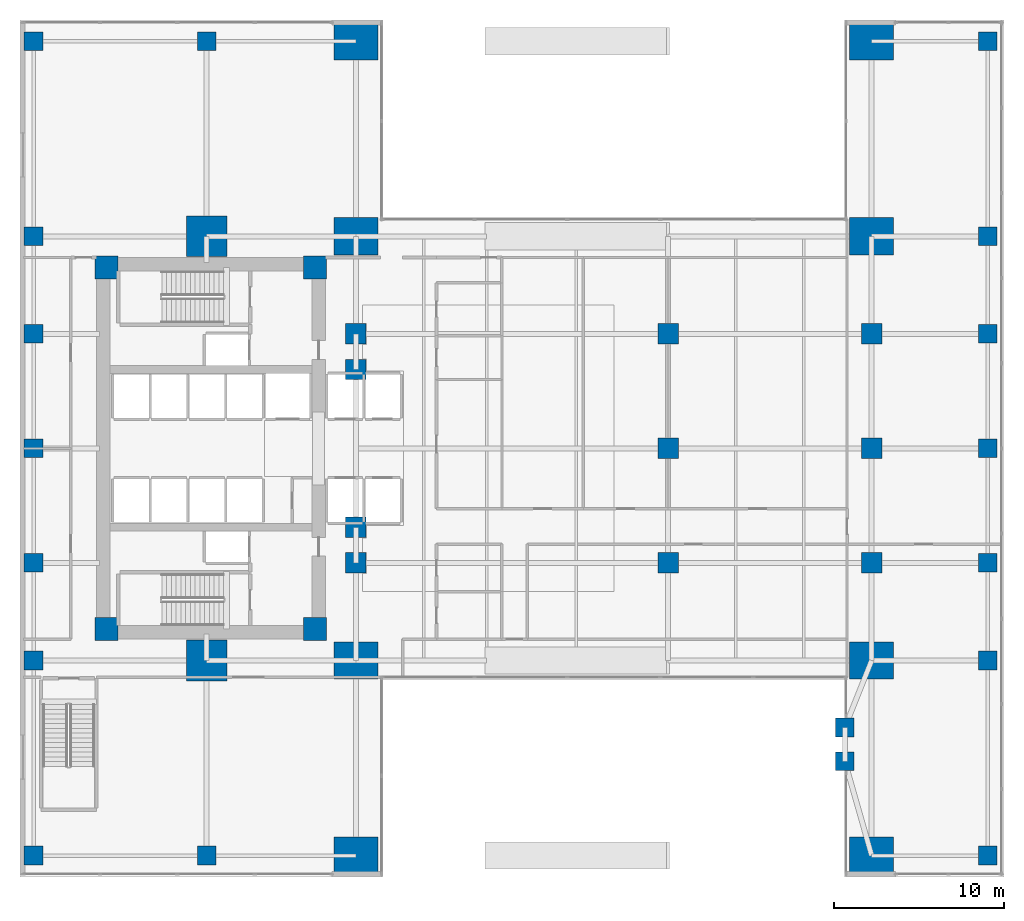
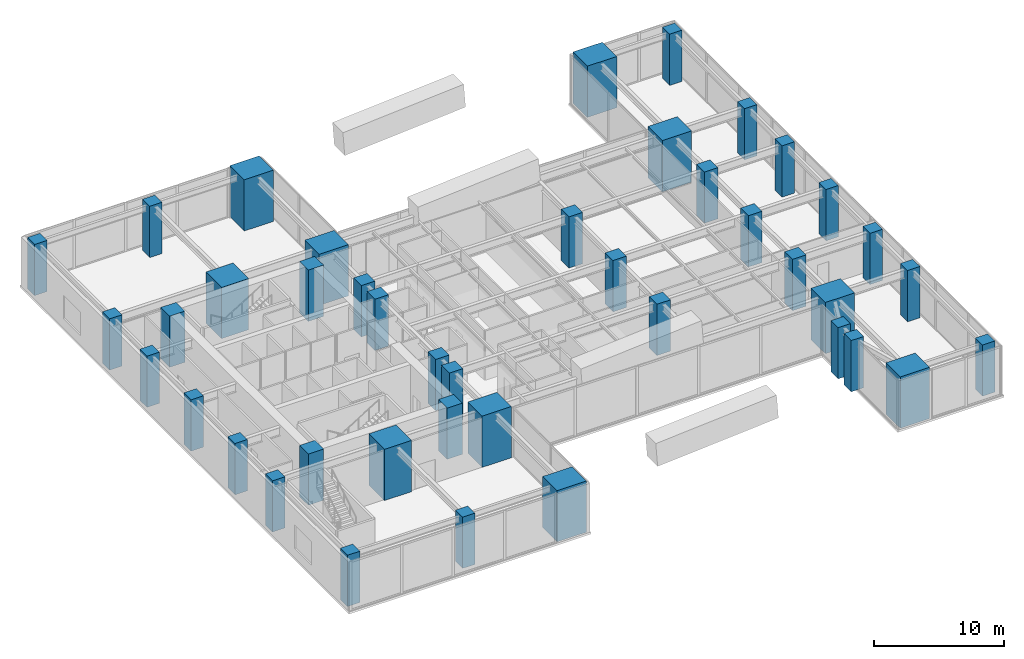
# One storey, part 1 of 13: 42 columns.
"""IFC4 building model written with IfcOpenShell, lengths in metres."""

from ifc_helpers import new_model, si_unit, direction, frame, origin, origin_2d, place, context, subcontext, project, spatial, rectangle, extrude, material, material_profile, profile_set, type_object, element, save


model = new_model("IFC4")

# Units and contexts
model_context = context("Model", 3, precision=1e-05, world=origin(), true_north=direction((0.0, 1.0)))
body_context = subcontext(model_context, "Body", "Model", "MODEL_VIEW")
ifc_project = project(units=[si_unit("LENGTHUNIT", "METRE"), si_unit("AREAUNIT", "SQUARE_METRE"), si_unit("VOLUMEUNIT", "CUBIC_METRE"), si_unit("PLANEANGLEUNIT", "RADIAN"), si_unit("MASSUNIT", "GRAM", prefix="KILO")], contexts=[model_context])

# Site, building, storey
site_placement = place(None, origin())
site = spatial("IfcSite", under=ifc_project, at=site_placement, CompositionType="ELEMENT")
building_placement = place(site_placement, origin())
building = spatial("IfcBuilding", under=site, at=building_placement, Name="Kinhvarn Gate Tower", CompositionType="ELEMENT")
storey_placement = place(building_placement, frame((0.0, 0.0, 10.800048828125)))
storey = spatial("IfcBuildingStorey", under=building, at=storey_placement, Name="L02", CompositionType="ELEMENT", Elevation=10.800048828125)

# Columns
ifc_material_1 = material(Name="Concrete C70/85", Category="concrete")
ifc_material_profile_1 = material_profile(ifc_material_1, rectangle(XDim=2.60009765625, YDim=2.199951171875, at=origin_2d()), Name="RC 2600x2200")
ifc_profile_set_1 = profile_set([ifc_material_profile_1], Name="Concrete C70/85")
column_type_1 = type_object("IfcColumnType", Name="COL-AP-2600", PredefinedType="COLUMN", material=ifc_profile_set_1)
for number, where, z_axis, x_axis, name in (
    (1, (19.800048828125, 1.25, 0.0), (0.0, 0.0, 1.0), (1.0, 0.0, 0.0), "Column APW-1-L02 (AP-01)"),
    (2, (50.199951171875, 1.25, 0.0), (0.0, 0.0, 1.0), (1.0, 0.0, 0.0), "Column APE-1-L02 (AP-01)"),
    (3, (19.800048828125, 12.75, 0.0), (0.0, 0.0, 1.0), (1.0, 0.0, 0.0), "Column APW-2-L02 (AP-01)"),
    (4, (50.199951171875, 12.75, 0.0), (0.0, 0.0, 1.0), (1.0, 0.0, 0.0), "Column APE-2-L02 (AP-01)"),
    (5, (19.800048828125, 37.75, 0.0), (0.0, 0.0, 1.0), (1.0, 0.0, 0.0), "Column APW-3-L02 (AP-01)"),
    (6, (50.199951171875, 37.75, 0.0), (0.0, 0.0, 1.0), (1.0, 0.0, 0.0), "Column APE-3-L02 (AP-01)"),
    (7, (19.800048828125, 49.25, 0.0), (0.0, 0.0, 1.0), (1.0, 0.0, 0.0), "Column APW-4-L02 (AP-01)"),
    (8, (50.199951171875, 49.25, 0.0), (0.0, 0.0, 1.0), (1.0, 0.0, 0.0), "Column APE-4-L02 (AP-01)"),
):
    element("IfcColumn", number, at=place(storey_placement, frame(where, z_axis=z_axis, x_axis=x_axis)), inside=storey, type_object=column_type_1, Name=name, PredefinedType="COLUMN", context=body_context, shape_type="SweptSolid", body=[
        extrude(rectangle(XDim=2.60009765625, YDim=2.199951171875, at=origin_2d()), origin(), (0.0, 0.0, 1.0), 4.800048828125),
    ])
ifc_material_profile_2 = material_profile(ifc_material_1, rectangle(XDim=2.39990234375, YDim=2.39990234375, at=origin_2d()), Name="RC 2400x2400")
ifc_profile_set_2 = profile_set([ifc_material_profile_2], Name="Concrete C70/85")
column_type_2 = type_object("IfcColumnType", Name="COL-MC-2400", PredefinedType="COLUMN", material=ifc_profile_set_2)
for number, where, z_axis, x_axis, name in (
    (9, (11.0, 12.75, 0.0), (0.0, 0.0, 1.0), (1.0, 0.0, 0.0), "Column MC1-L02 (MC-24)"),
    (10, (11.0, 37.75, 0.0), (0.0, 0.0, 1.0), (1.0, 0.0, 0.0), "Column MC4-L02 (MC-24)"),
):
    element("IfcColumn", number, at=place(storey_placement, frame(where, z_axis=z_axis, x_axis=x_axis)), inside=storey, type_object=column_type_2, Name=name, PredefinedType="COLUMN", context=body_context, shape_type="SweptSolid", body=[
        extrude(rectangle(XDim=2.39990234375, YDim=2.39990234375, at=origin_2d()), origin(), (0.0, 0.0, 1.0), 4.800048828125),
    ])
ifc_material_2 = material(Name="Concrete C60/75", Category="concrete")
ifc_material_profile_3 = material_profile(ifc_material_2, rectangle(XDim=1.10009765625, YDim=1.10009765625, at=origin_2d()), Name="RC 1100x1100")
ifc_profile_set_3 = profile_set([ifc_material_profile_3], Name="Concrete C60/75")
column_type_3 = type_object("IfcColumnType", Name="COL-RC-1100", PredefinedType="COLUMN", material=ifc_profile_set_3)
for number, where, z_axis, x_axis, name in (
    (11, (0.800048828125, 1.25, 0.0), (0.0, 0.0, 1.0), (1.0, 0.0, 0.0), "Column PW-1-L02 (C-110)"),
    (12, (57.050048828125, 1.25, 0.0), (0.0, 0.0, 1.0), (1.0, 0.0, 0.0), "Column PE-1-L02 (C-110)"),
    (13, (0.800048828125, 12.75, 0.0), (0.0, 0.0, 1.0), (1.0, 0.0, 0.0), "Column PW-2-L02 (C-110)"),
    (14, (57.050048828125, 12.75, 0.0), (0.0, 0.0, 1.0), (1.0, 0.0, 0.0), "Column PE-2-L02 (C-110)"),
    (15, (0.800048828125, 18.5, 0.0), (0.0, 0.0, 1.0), (1.0, 0.0, 0.0), "Column PW-3-L02 (C-110)"),
    (16, (57.050048828125, 18.5, 0.0), (0.0, 0.0, 1.0), (1.0, 0.0, 0.0), "Column PE-3-L02 (C-110)"),
    (17, (0.800048828125, 25.25, 0.0), (0.0, 0.0, 1.0), (1.0, 0.0, 0.0), "Column PW-4-L02 (C-110)"),
    (18, (57.050048828125, 25.25, 0.0), (0.0, 0.0, 1.0), (1.0, 0.0, 0.0), "Column PE-4-L02 (C-110)"),
    (19, (0.800048828125, 32.0, 0.0), (0.0, 0.0, 1.0), (1.0, 0.0, 0.0), "Column PW-5-L02 (C-110)"),
    (20, (57.050048828125, 32.0, 0.0), (0.0, 0.0, 1.0), (1.0, 0.0, 0.0), "Column PE-5-L02 (C-110)"),
    (21, (0.800048828125, 37.75, 0.0), (0.0, 0.0, 1.0), (1.0, 0.0, 0.0), "Column PW-6-L02 (C-110)"),
    (22, (57.050048828125, 37.75, 0.0), (0.0, 0.0, 1.0), (1.0, 0.0, 0.0), "Column PE-6-L02 (C-110)"),
    (23, (0.800048828125, 49.25, 0.0), (0.0, 0.0, 1.0), (1.0, 0.0, 0.0), "Column PW-7-L02 (C-110)"),
    (24, (57.050048828125, 49.25, 0.0), (0.0, 0.0, 1.0), (1.0, 0.0, 0.0), "Column PE-7-L02 (C-110)"),
    (25, (11.0, 1.25, 0.0), (0.0, 0.0, 1.0), (1.0, 0.0, 0.0), "Column P11-S-L02 (C-110)"),
    (26, (11.0, 49.25, 0.0), (0.0, 0.0, 1.0), (1.0, 0.0, 0.0), "Column P11-N-L02 (C-110)"),
    (27, (48.6201171875, 6.800048828125, 0.0), (0.0, 0.0, 1.0), (1.0, 0.0, 0.0), "Column CS-SE1-L02 (C-110)"),
    (28, (48.6201171875, 8.800048828125, 0.0), (0.0, 0.0, 1.0), (1.0, 0.0, 0.0), "Column CS-SE1B-L02 (C-110)"),
):
    element("IfcColumn", number, at=place(storey_placement, frame(where, z_axis=z_axis, x_axis=x_axis)), inside=storey, type_object=column_type_3, Name=name, PredefinedType="COLUMN", context=body_context, shape_type="SweptSolid", body=[
        extrude(rectangle(XDim=1.10009765625, YDim=1.10009765625, at=origin_2d()), origin(), (0.0, 0.0, 1.0), 4.800048828125),
    ])
ifc_material_profile_4 = material_profile(ifc_material_2, rectangle(XDim=1.199951171875, YDim=1.199951171875, at=origin_2d()), Name="RC 1200x1200")
ifc_profile_set_4 = profile_set([ifc_material_profile_4], Name="Concrete C60/75")
column_type_4 = type_object("IfcColumnType", Name="COL-RC-1200", PredefinedType="COLUMN", material=ifc_profile_set_4)
for number, where, z_axis, x_axis, name in (
    (29, (38.199951171875, 18.5, 0.0), (0.0, 0.0, 1.0), (1.0, 0.0, 0.0), "Column SP38-E1-L02 (C-120)"),
    (30, (38.199951171875, 25.25, 0.0), (0.0, 0.0, 1.0), (1.0, 0.0, 0.0), "Column SP38-E2-L02 (C-120)"),
    (31, (38.199951171875, 32.0, 0.0), (0.0, 0.0, 1.0), (1.0, 0.0, 0.0), "Column SP38-E3-L02 (C-120)"),
    (32, (19.800048828125, 18.5, 0.0), (0.0, 0.0, 1.0), (1.0, 0.0, 0.0), "Column APW-M1-L02 (C-120)"),
    (33, (19.800048828125, 20.60009765625, 0.0), (0.0, 0.0, 1.0), (1.0, 0.0, 0.0), "Column APW-M2-L02 (C-120)"),
    (34, (19.800048828125, 29.89990234375, 0.0), (0.0, 0.0, 1.0), (1.0, 0.0, 0.0), "Column APW-M3-L02 (C-120)"),
    (35, (19.800048828125, 32.0, 0.0), (0.0, 0.0, 1.0), (1.0, 0.0, 0.0), "Column APW-M4-L02 (C-120)"),
    (36, (50.199951171875, 18.5, 0.0), (0.0, 0.0, 1.0), (1.0, 0.0, 0.0), "Column APE-M1-L02 (C-120)"),
    (37, (50.199951171875, 25.25, 0.0), (0.0, 0.0, 1.0), (1.0, 0.0, 0.0), "Column APE-M2-L02 (C-120)"),
    (38, (50.199951171875, 32.0, 0.0), (0.0, 0.0, 1.0), (1.0, 0.0, 0.0), "Column APE-M3-L02 (C-120)"),
):
    element("IfcColumn", number, at=place(storey_placement, frame(where, z_axis=z_axis, x_axis=x_axis)), inside=storey, type_object=column_type_4, Name=name, PredefinedType="COLUMN", context=body_context, shape_type="SweptSolid", body=[
        extrude(rectangle(XDim=1.199951171875, YDim=1.199951171875, at=origin_2d()), origin(), (0.0, 0.0, 1.0), 4.800048828125),
    ])
ifc_material_profile_5 = material_profile(ifc_material_1, rectangle(XDim=1.35009765625, YDim=1.35009765625, at=origin_2d()), Name="RC 1350x1350")
ifc_profile_set_5 = profile_set([ifc_material_profile_5], Name="Concrete C70/85")
column_type_5 = type_object("IfcColumnType", Name="PIL-RC-1350", PredefinedType="PILASTER", material=ifc_profile_set_5)
for number, where, z_axis, x_axis, name in (
    (39, (5.10009765625, 14.60009765625, 0.0), (0.0, 0.0, 1.0), (1.0, 0.0, 0.0), "Column CC-SW-L02 (CP-135)"),
    (40, (5.10009765625, 35.89990234375, 0.0), (0.0, 0.0, 1.0), (1.0, 0.0, 0.0), "Column CC-NW-L02 (CP-135)"),
    (41, (17.39990234375, 14.60009765625, 0.0), (0.0, 0.0, 1.0), (1.0, 0.0, 0.0), "Column CC-SE-L02 (CP-135)"),
    (42, (17.39990234375, 35.89990234375, 0.0), (0.0, 0.0, 1.0), (1.0, 0.0, 0.0), "Column CC-NE-L02 (CP-135)"),
):
    element("IfcColumn", number, at=place(storey_placement, frame(where, z_axis=z_axis, x_axis=x_axis)), inside=storey, type_object=column_type_5, Name=name, PredefinedType="PILASTER", context=body_context, shape_type="SweptSolid", body=[
        extrude(rectangle(XDim=1.35009765625, YDim=1.35009765625, at=origin_2d()), origin(), (0.0, 0.0, 1.0), 4.800048828125),
    ])

save(model, "model.ifc")
